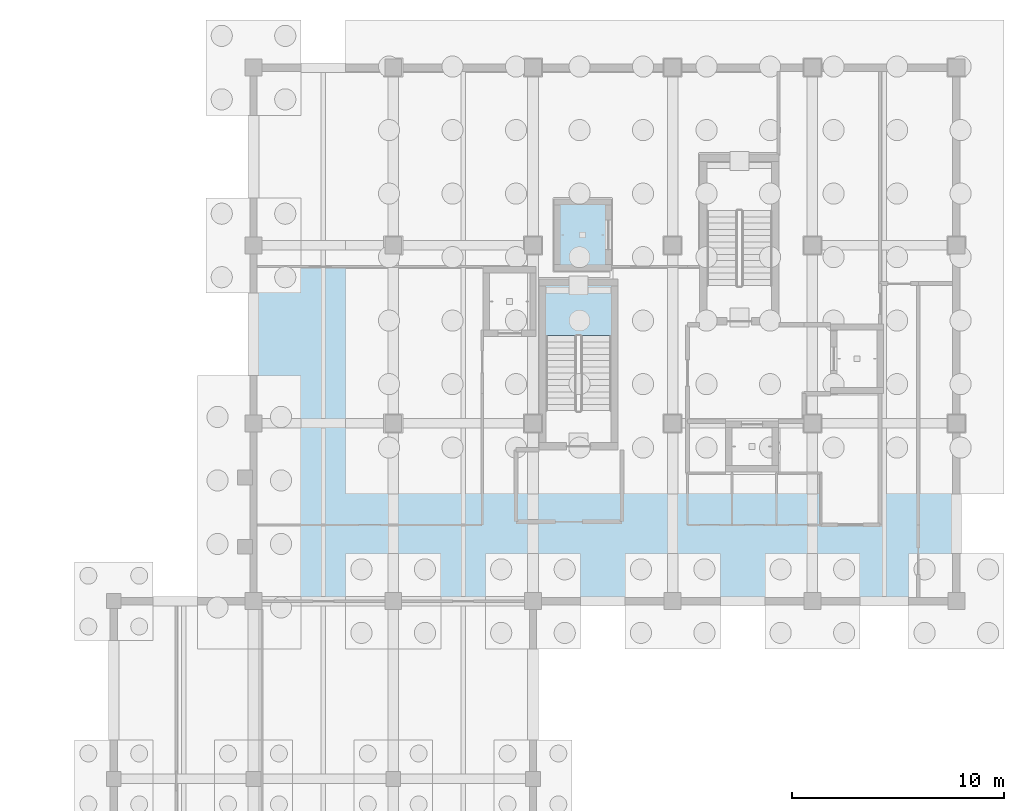
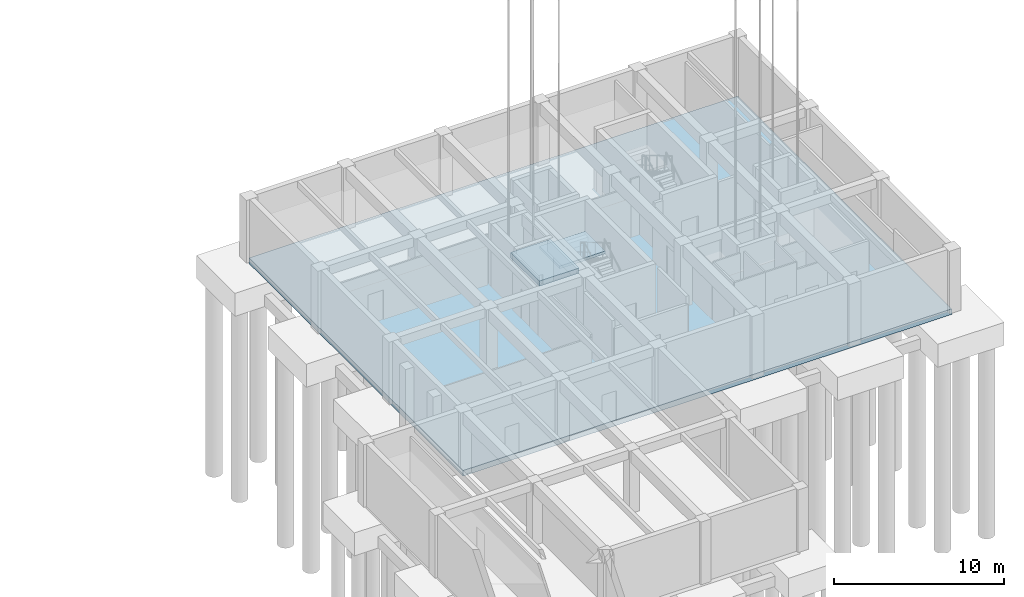
# One storey, part 26 of 44: 3 slabs, 1 element without a shape of its own.
"""IFC4 building model written with IfcOpenShell, lengths in metres."""

from ifc_helpers import new_model, si_unit, direction, frame, origin, place, context, subcontext, project, spatial, polyline, outline, extrude, material, layer, layer_set, type_object, element, aggregate, save


model = new_model("IFC4")

# Units and contexts
model_context = context("Model", 3, precision=1e-05, world=origin(), true_north=direction((0.0, 1.0)))
body_context = subcontext(model_context, "Body", "Model", "MODEL_VIEW")
ifc_project = project(units=[si_unit("LENGTHUNIT", "METRE"), si_unit("AREAUNIT", "SQUARE_METRE"), si_unit("VOLUMEUNIT", "CUBIC_METRE"), si_unit("PLANEANGLEUNIT", "RADIAN"), si_unit("MASSUNIT", "GRAM", prefix="KILO")], contexts=[model_context])

# Site, building, storey
site_placement = place(None, origin())
site = spatial("IfcSite", under=ifc_project, at=site_placement, CompositionType="ELEMENT")
building_placement = place(site_placement, origin())
building = spatial("IfcBuilding", under=site, at=building_placement, Name="Kolvaren Faculty of Natural Sciences", CompositionType="ELEMENT")
storey_placement = place(building_placement, frame((0.0, 0.0, -4.5)))
storey = spatial("IfcBuildingStorey", under=building, at=storey_placement, Name="B01", CompositionType="ELEMENT", Elevation=-4.5)

# Slabs
ifc_material = material(Name="Concrete C35/45", Category="concrete")
ifc_layer_1 = layer(ifc_material, 0.39990234375)
ifc_layer_set_1 = layer_set([ifc_layer_1], Name="Concrete C35/45")
slab_type_1 = type_object("IfcSlabType", Name="BaseSlab_400", PredefinedType="BASESLAB", material=ifc_layer_set_1)
slab_1_placement = place(storey_placement, frame((0.0, 0.0, -0.39990234375)))
element("IfcSlab", 1, at=slab_1_placement, inside=storey, type_object=slab_type_1, Name="B01 V6 structural slab 1", PredefinedType="BASESLAB", context=body_context, shape_type="SweptSolid", body=[
    extrude(outline(polyline([(172.0, 59.0), (138.800048828125, 59.0), (138.800048828125, 84.199951171875), (172.0, 84.199951171875), (172.0, 59.0)])), origin(), (0.0, 0.0, 1.0), 0.39990234375),
])
ifc_layer_2 = layer(ifc_material, 0.3798828125)
ifc_layer_set_2 = layer_set([ifc_layer_2], Name="Concrete C35/45")
slab_type_2 = type_object("IfcSlabType", Name="LiftPitSlab_380", PredefinedType="BASESLAB", material=ifc_layer_set_2)
slab_2_placement = place(storey_placement, frame((0.0, 0.0, -1.199951171875)))
element("IfcSlab", 2, at=slab_2_placement, inside=storey, type_object=slab_type_2, Name="Lift GL-2 reinforced concrete pit base slab", PredefinedType="BASESLAB", context=body_context, shape_type="SweptSolid", body=[
    extrude(outline(polyline([(153.0, 74.60009765625), (155.699951171875, 74.60009765625), (155.699951171875, 78.0), (153.0, 78.0), (153.0, 74.60009765625)])), origin(), (0.0, 0.0, 1.0), 0.3798828125),
])

# Stair, slab
stair_type = type_object("IfcStairType", Name="DoglegStair_H4500", PredefinedType="HALF_TURN_STAIR", material=ifc_material)
stair_placement = place(storey_placement, origin())
stair = element("IfcStair", 3, at=stair_placement, inside=storey, type_object=stair_type, Name="B01 Protected exit stair ST-2", PredefinedType="HALF_TURN_STAIR")
ifc_layer_3 = layer(ifc_material, 0.199951171875)
ifc_layer_set_3 = layer_set([ifc_layer_3], Name="Concrete C35/45")
slab_type_3 = type_object("IfcSlabType", Name="StairLandingSlab_200", PredefinedType="LANDING", material=ifc_layer_set_3)
slab_3_placement = place(storey_placement, frame((0.0, 0.0, 2.050048828125)))
slab_3 = element("IfcSlab", 4, at=slab_3_placement, type_object=slab_type_3, Name="ST-2 landing 1", PredefinedType="LANDING", context=body_context, shape_type="SweptSolid", body=[
    extrude(outline(polyline([(155.699951171875, 71.5400390625), (155.699951171875, 73.89990234375), (152.60009765625, 73.89990234375), (152.60009765625, 71.5400390625), (155.699951171875, 71.5400390625)])), origin(), (0.0, 0.0, 1.0), 0.199951171875),
])
aggregate(stair, [slab_3])

save(model, "model.ifc")
